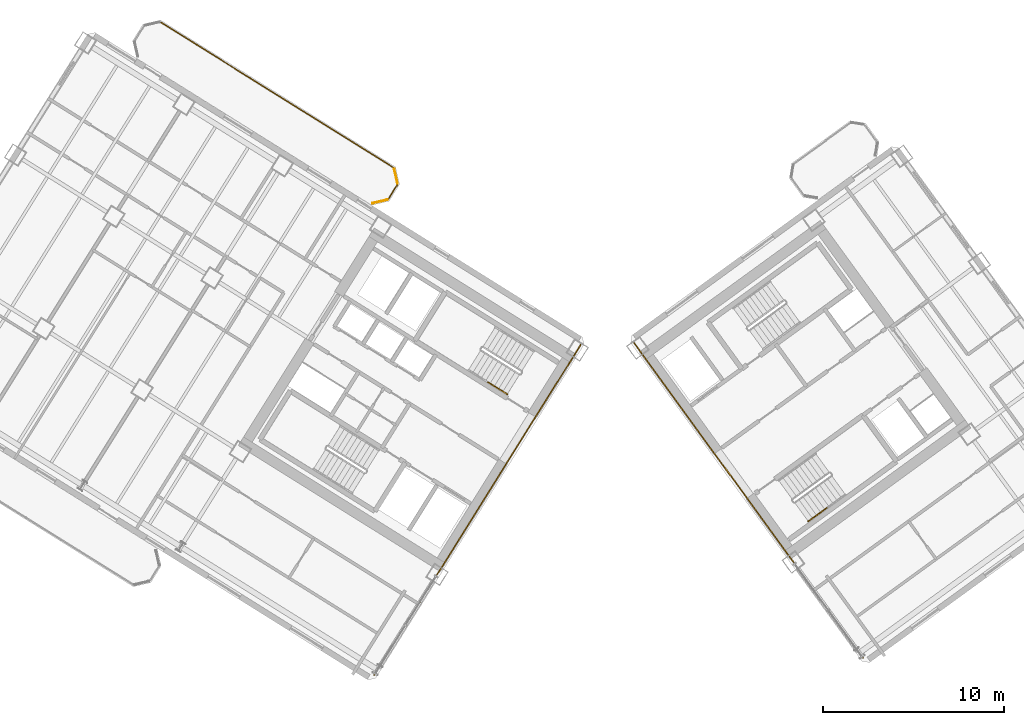
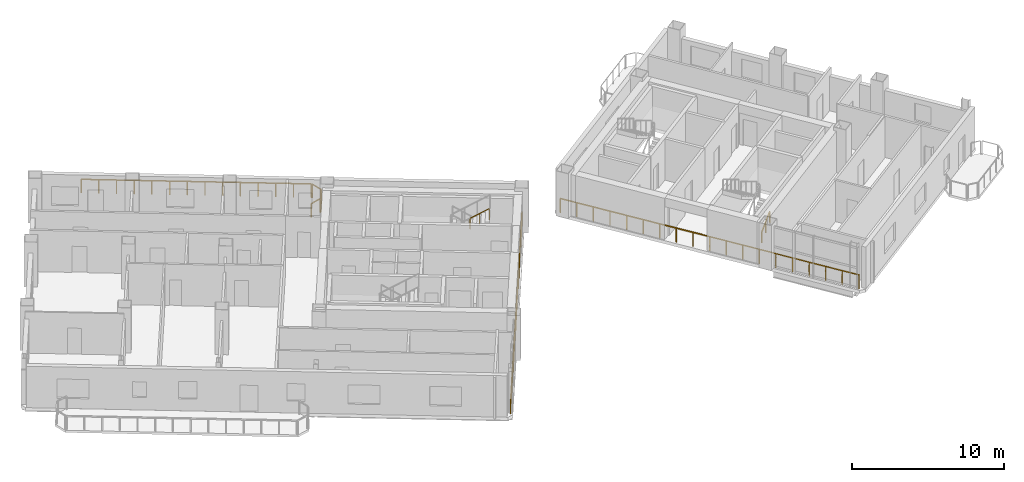
# One storey, part 16 of 18: 8 railings.
"""IFC4 building model written with IfcOpenShell, lengths in metres."""

import ifcopenshell
import ifcopenshell.guid

model = None  # the IFC model being written
_history = None  # IfcOwnerHistory: only IFC2X3 demands one
_inside = {}  # id of a spatial element -> (the spatial element, [elements in it])
_under = {}  # id of a project, library or spatial element -> (it, [spatial elements below it])
_declared = {}  # id of a project -> (the project, [libraries it declares])
_typed = {}  # id of a type object -> (the type object, [elements of that type])
_made_of = {}  # id of a material, layer set ... -> (it, [elements and type objects made of it])


def new_model(schema):
    """Start an empty IFC model of exactly this schema.

    Asked for "IFC4X3", IfcOpenShell would pick the latest addendum, in which some entities
    have other attributes; the version numbers below select the first issue.
    IFC2X3 requires an IfcOwnerHistory on every rooted entity: one is made here for all.
    """
    global model, _history
    if schema == "IFC4X3":
        model = ifcopenshell.file(schema_version=(4, 3, 0, 0))
    else:
        model = ifcopenshell.file(schema=schema)
    _inside.clear()
    _under.clear()
    _declared.clear()
    _typed.clear()
    _made_of.clear()
    _history = None
    if model.schema == "IFC2X3":
        org = make("IfcOrganization", Name="unknown")
        user = make(
            "IfcPersonAndOrganization",
            ThePerson=make("IfcPerson", FamilyName="unknown"),
            TheOrganization=org,
        )
        app = make(
            "IfcApplication",
            ApplicationDeveloper=org,
            Version="unknown",
            ApplicationFullName="unknown",
            ApplicationIdentifier="unknown",
        )
        _history = make(
            "IfcOwnerHistory",
            OwningUser=user,
            OwningApplication=app,
            ChangeAction="ADDED",
            CreationDate=0,
        )
    return model


def make(cls, **values):
    """One entity of the class cls with the attributes given. An attribute that is None is left unset."""
    return model.create_entity(
        cls, **{name: value for name, value in values.items() if value is not None}
    )


def rooted(cls, **values):
    """An entity with a GlobalId (a new one), such as an element, a storey or a relation."""
    return make(cls, GlobalId=ifcopenshell.guid.new(), OwnerHistory=_history, **values)


def si_unit(unit_type, name, prefix=None):
    """IfcSIUnit, for example si_unit("LENGTHUNIT", "METRE", prefix="MILLI")."""
    return make("IfcSIUnit", UnitType=unit_type, Prefix=prefix, Name=name)


def assignment(units):
    """IfcUnitAssignment: the units of a project."""
    return None if units is None else make("IfcUnitAssignment", Units=units)


def point(xyz):
    """IfcCartesianPoint."""
    return None if xyz is None else make("IfcCartesianPoint", Coordinates=xyz)


def direction(xyz):
    """IfcDirection."""
    return None if xyz is None else make("IfcDirection", DirectionRatios=xyz)


def frame(location, z_axis=None, x_axis=None):
    """IfcAxis2Placement3D, a coordinate frame: its origin and axes. An axis left out is left unset."""
    return make(
        "IfcAxis2Placement3D",
        Location=point(location),
        Axis=direction(z_axis),
        RefDirection=direction(x_axis),
    )


def frame_2d(location, x_axis=None):
    """IfcAxis2Placement2D, a coordinate frame in the plane: its origin and x axis."""
    return make(
        "IfcAxis2Placement2D", Location=point(location), RefDirection=direction(x_axis)
    )


def origin():
    """The frame at (0, 0, 0) with its axes left unset."""
    return frame((0.0, 0.0, 0.0))


def origin_2d():
    """The frame at (0, 0) in the plane with its x axis left unset."""
    return frame_2d((0.0, 0.0))


def place(relative_to, where):
    """IfcLocalPlacement: puts the frame where relative to a parent placement (None: the world)."""
    return make(
        "IfcLocalPlacement", PlacementRelTo=relative_to, RelativePlacement=where
    )


def context(
    kind, dimensions, precision=None, world=None, true_north=None, identifier=None
):
    """IfcGeometricRepresentationContext, for example the 3D "Model" context."""
    return make(
        "IfcGeometricRepresentationContext",
        ContextIdentifier=identifier,
        ContextType=kind,
        CoordinateSpaceDimension=dimensions,
        Precision=precision,
        WorldCoordinateSystem=world,
        TrueNorth=true_north,
    )


def subcontext(parent, identifier, kind, view, scale=None):
    """IfcGeometricRepresentationSubContext, for example "Body" below "Model"."""
    return make(
        "IfcGeometricRepresentationSubContext",
        ContextIdentifier=identifier,
        ContextType=kind,
        ParentContext=parent,
        TargetScale=scale,
        TargetView=view,
    )


def project(units=None, contexts=None):
    """IfcProject with its units and contexts."""
    return rooted(
        "IfcProject",
        Name="project",
        RepresentationContexts=contexts,
        UnitsInContext=assignment(units),
    )


def spatial(cls, under=None, at=None, **own):
    """A site, building, storey or space (cls), placed at a placement, below another one or the project."""
    s = rooted(cls, ObjectPlacement=at, **own)
    if under is not None:
        _under.setdefault(under.id(), (under, []))[1].append(s)
    return s


def profile(cls, at=None, kind="AREA", **sizes):
    """A parametric profile (cls). Its sizes go by their IFC names, for example OverallWidth=200.0."""
    return make(cls, ProfileType=kind, Position=at, **sizes)


def rectangle(**sizes):
    """IfcRectangleProfileDef."""
    return profile("IfcRectangleProfileDef", **sizes)


def extrude(swept, where, along, depth):
    """IfcExtrudedAreaSolid: the profile swept, set in the frame where, extruded along a direction by depth."""
    return make(
        "IfcExtrudedAreaSolid",
        SweptArea=swept,
        Position=where,
        ExtrudedDirection=direction(along),
        Depth=depth,
    )


def shape(context_of_items, identifier, shape_type, items):
    """IfcShapeRepresentation: the items that make up one representation, for example the "Body"."""
    return make(
        "IfcShapeRepresentation",
        ContextOfItems=context_of_items,
        RepresentationIdentifier=identifier,
        RepresentationType=shape_type,
        Items=items,
    )


def source(mapping_origin, context_of_items, identifier, shape_type, items):
    """IfcRepresentationMap: a shape defined once, which mapped items show again and again."""
    return make(
        "IfcRepresentationMap",
        MappingOrigin=mapping_origin,
        MappedRepresentation=shape(context_of_items, identifier, shape_type, items),
    )


def transform(
    local_origin,
    x_axis=None,
    y_axis=None,
    z_axis=None,
    scale=None,
    scale2=None,
    scale3=None,
    uniform=True,
):
    """IfcCartesianTransformationOperator3D, or its non-uniform kind. x_axis, y_axis, z_axis: its Axis1, 2, 3."""
    if uniform:
        return make(
            "IfcCartesianTransformationOperator3D",
            Axis1=direction(x_axis),
            Axis2=direction(y_axis),
            LocalOrigin=point(local_origin),
            Scale=scale,
            Axis3=direction(z_axis),
        )
    return make(
        "IfcCartesianTransformationOperator3DnonUniform",
        Axis1=direction(x_axis),
        Axis2=direction(y_axis),
        LocalOrigin=point(local_origin),
        Scale=scale,
        Axis3=direction(z_axis),
        Scale2=scale2,
        Scale3=scale3,
    )


def mapped(mapping_source, mapping_target):
    """IfcMappedItem: shows the shape of a source again, moved by a transform."""
    return make(
        "IfcMappedItem", MappingSource=mapping_source, MappingTarget=mapping_target
    )


def material(Name=None, Category=None):
    """IfcMaterial."""
    return make("IfcMaterial", Name=Name, Category=Category)


def made_of(thing, what):
    """Note that an element or type object is made of a material, layer set ...; save() writes the relation."""
    if what is not None:
        _made_of.setdefault(what.id(), (what, []))[1].append(thing)
    return thing


def type_object(cls, material=None, **own):
    """A type object (cls), such as IfcWallType, which elements share."""
    return made_of(rooted(cls, **own), material)


def element(
    cls,
    number,
    at=None,
    inside=None,
    cuts=None,
    type_object=None,
    material=None,
    context=None,
    identifier="Body",
    shape_type=None,
    held_by="IfcProductDefinitionShape",
    body=None,
    shapes=None,
    **own,
):
    """One element of the class cls, such as IfcWall. Its Tag is "e" and its number.

    at: its placement. inside: the storey or other place that contains it. cuts: it is an
    opening in that element (IfcRelVoidsElement). A single representation is given by context,
    identifier, shape_type and body (its items); several are given by shapes. held_by: the class
    of the entity that holds the representations. save() writes the other relations.
    """
    e = rooted(cls, Tag="e%d" % number, ObjectPlacement=at, **own)
    if body is not None:
        shapes = [shape(context, identifier, shape_type, body)]
    if shapes is not None:
        e.Representation = make(held_by, Representations=shapes)
    if inside is not None:
        _inside.setdefault(inside.id(), (inside, []))[1].append(e)
    if cuts is not None:
        rooted(
            "IfcRelVoidsElement", RelatingBuildingElement=cuts, RelatedOpeningElement=e
        )
    if type_object is not None:
        _typed.setdefault(type_object.id(), (type_object, []))[1].append(e)
    return made_of(e, material)


def aggregate(whole, parts):
    """IfcRelAggregates: a whole, such as a stair, and the parts it consists of."""
    return rooted("IfcRelAggregates", RelatingObject=whole, RelatedObjects=parts)


def save(model, path):
    """Write the relations noted so far, then the file.

    IfcRelAggregates (storeys below a building ...), IfcRelContainedInSpatialStructure (elements
    in a storey), IfcRelDefinesByType, IfcRelAssociatesMaterial and IfcRelDeclares: one each for
    every whole, place, type object, material and project.
    """
    for whole, parts in _under.values():
        aggregate(whole, parts)
    for where, things in _inside.values():
        rooted(
            "IfcRelContainedInSpatialStructure",
            RelatedElements=things,
            RelatingStructure=where,
        )
    for kind, things in _typed.values():
        rooted("IfcRelDefinesByType", RelatedObjects=things, RelatingType=kind)
    for what, things in _made_of.values():
        rooted("IfcRelAssociatesMaterial", RelatedObjects=things, RelatingMaterial=what)
    for by, libraries in _declared.values():
        rooted("IfcRelDeclares", RelatingContext=by, RelatedDefinitions=libraries)
    model.write(path)


model = new_model("IFC4")

# Units and contexts
model_context = context("Model", 3, precision=1e-05, world=origin(), true_north=direction((0.0, 1.0)))
body_context = subcontext(model_context, "Body", "Model", "MODEL_VIEW")
ifc_project = project(units=[si_unit("LENGTHUNIT", "METRE"), si_unit("AREAUNIT", "SQUARE_METRE"), si_unit("VOLUMEUNIT", "CUBIC_METRE"), si_unit("PLANEANGLEUNIT", "RADIAN"), si_unit("MASSUNIT", "GRAM", prefix="KILO")], contexts=[model_context])

# Site, building, storey
site_placement = place(None, origin())
site = spatial("IfcSite", under=ifc_project, at=site_placement, CompositionType="ELEMENT")
building_placement = place(site_placement, origin())
building = spatial("IfcBuilding", under=site, at=building_placement, Name="Tlacorven Tower", CompositionType="ELEMENT")
storey_placement = place(building_placement, frame((0.0, 0.0, 132.60009765625)))
storey = spatial("IfcBuildingStorey", under=building, at=storey_placement, Name="L33", CompositionType="ELEMENT", Elevation=132.60009765625)

# Railings
ifc_material = material(Name="Aluminium and painted steel balustrade", Category="steel")
railing_type_1 = type_object("IfcRailingType", Name="RL-BAL-1100", PredefinedType="BALUSTRADE", material=ifc_material)
shared_shape_1 = source(origin(), body_context, "Body", "SweptSolid", [
    extrude(rectangle(XDim=0.048095703125, YDim=0.048095703125, at=origin_2d()), frame((0.0, 0.0, 1.076171875), z_axis=(0.225058334816, -0.974345290916, 0.0), x_axis=(0.974345290916, 0.225058334816, 0.0)), (0.0, 0.0, 1.0), 0.80712890625),
    extrude(rectangle(XDim=0.0419921875, YDim=0.0419921875, at=origin_2d()), origin(), (0.0, 0.0, 1.0), 1.052001953125),
    extrude(rectangle(XDim=0.0419921875, YDim=0.0419921875, at=origin_2d()), frame((0.181640625, -0.786376953125, 0.0)), (0.0, 0.0, 1.0), 1.052001953125),
])
railing_1_placement = place(storey_placement, frame((30.6796875, 34.466064453125, 0.0)))
element("IfcRailing", 1, at=railing_1_placement, inside=storey, type_object=railing_type_1, Name="BAL-L33-W-IN Guard Railing 1", PredefinedType="BALUSTRADE", context=body_context, shape_type="MappedRepresentation", body=[
    mapped(shared_shape_1, transform((0.0, 0.0, 0.0), scale=1.0)),
])
shared_shape_2 = source(origin(), body_context, "Body", "SweptSolid", [
    extrude(rectangle(XDim=0.048095703125, YDim=0.048095703125, at=origin_2d()), frame((0.0, 0.0, 1.076171875), z_axis=(-0.52987865805, -0.848073468364, 0.0), x_axis=(0.848073468364, -0.52987865805, 0.0)), (0.0, 0.0, 1.0), 0.912353515625),
    extrude(rectangle(XDim=0.0419921875, YDim=0.0419921875, at=origin_2d()), origin(), (0.0, 0.0, 1.0), 1.052001953125),
    extrude(rectangle(XDim=0.0419921875, YDim=0.0419921875, at=origin_2d()), frame((-0.4833984375, -0.773681640625, 0.0)), (0.0, 0.0, 1.0), 1.052001953125),
])
railing_2_placement = place(storey_placement, frame((30.845947265625, 33.588623046875, 0.0)))
element("IfcRailing", 2, at=railing_2_placement, inside=storey, type_object=railing_type_1, Name="BAL-L33-W-IN Guard Railing 2", PredefinedType="BALUSTRADE", context=body_context, shape_type="MappedRepresentation", body=[
    mapped(shared_shape_2, transform((0.0, 0.0, 0.0), scale=1.0)),
])
shared_shape_3 = source(origin(), body_context, "Body", "SweptSolid", [
    extrude(rectangle(XDim=0.048095703125, YDim=0.048095703125, at=origin_2d()), frame((0.0, 0.0, 1.076171875), z_axis=(-0.974345290916, -0.225058334816, 0.0), x_axis=(0.225058334816, -0.974345290916, 0.0)), (0.0, 0.0, 1.0), 0.80712890625),
    extrude(rectangle(XDim=0.0419921875, YDim=0.0419921875, at=origin_2d()), origin(), (0.0, 0.0, 1.0), 1.052001953125),
    extrude(rectangle(XDim=0.0419921875, YDim=0.0419921875, at=origin_2d()), frame((-0.786376953125, -0.181640625, 0.0)), (0.0, 0.0, 1.0), 1.052001953125),
])
railing_3_placement = place(storey_placement, frame((30.287353515625, 32.761474609375, 0.0)))
element("IfcRailing", 3, at=railing_3_placement, inside=storey, type_object=railing_type_1, Name="BAL-L33-W-IN Guard Railing 3", PredefinedType="BALUSTRADE", context=body_context, shape_type="MappedRepresentation", body=[
    mapped(shared_shape_3, transform((0.0, 0.0, 0.0), scale=1.0)),
])
shared_shape_4 = source(origin(), body_context, "Body", "SweptSolid", [
    extrude(rectangle(XDim=0.048095703125, YDim=0.048095703125, at=origin_2d()), frame((0.0, 0.0, 1.076171875), z_axis=(0.848044572804, -0.529924902733, 0.0), x_axis=(0.529924902733, 0.848044572804, 0.0)), (0.0, 0.0, 1.0), 15.1171875),
    extrude(rectangle(XDim=0.0419921875, YDim=0.0419921875, at=origin_2d()), origin(), (0.0, 0.0, 1.0), 1.052001953125),
    extrude(rectangle(XDim=0.0419921875, YDim=0.0419921875, at=origin_2d()), frame((0.986083984375, -0.6162109375, 0.0)), (0.0, 0.0, 1.0), 1.052001953125),
    extrude(rectangle(XDim=0.0419921875, YDim=0.0419921875, at=origin_2d()), frame((1.972412109375, -1.232421875, 0.0)), (0.0, 0.0, 1.0), 1.052001953125),
    extrude(rectangle(XDim=0.0419921875, YDim=0.0419921875, at=origin_2d()), frame((2.95849609375, -1.8486328125, 0.0)), (0.0, 0.0, 1.0), 1.052001953125),
    extrude(rectangle(XDim=0.0419921875, YDim=0.0419921875, at=origin_2d()), frame((3.944580078125, -2.46484375, 0.0)), (0.0, 0.0, 1.0), 1.052001953125),
    extrude(rectangle(XDim=0.0419921875, YDim=0.0419921875, at=origin_2d()), frame((4.930908203125, -3.0810546875, 0.0)), (0.0, 0.0, 1.0), 1.052001953125),
    extrude(rectangle(XDim=0.0419921875, YDim=0.0419921875, at=origin_2d()), frame((5.9169921875, -3.697265625, 0.0)), (0.0, 0.0, 1.0), 1.052001953125),
    extrude(rectangle(XDim=0.0419921875, YDim=0.0419921875, at=origin_2d()), frame((6.903076171875, -4.313720703125, 0.0)), (0.0, 0.0, 1.0), 1.052001953125),
    extrude(rectangle(XDim=0.0419921875, YDim=0.0419921875, at=origin_2d()), frame((7.88916015625, -4.929931640625, 0.0)), (0.0, 0.0, 1.0), 1.052001953125),
    extrude(rectangle(XDim=0.0419921875, YDim=0.0419921875, at=origin_2d()), frame((8.87548828125, -5.546142578125, 0.0)), (0.0, 0.0, 1.0), 1.052001953125),
    extrude(rectangle(XDim=0.0419921875, YDim=0.0419921875, at=origin_2d()), frame((9.861572265625, -6.162353515625, 0.0)), (0.0, 0.0, 1.0), 1.052001953125),
    extrude(rectangle(XDim=0.0419921875, YDim=0.0419921875, at=origin_2d()), frame((10.84765625, -6.778564453125, 0.0)), (0.0, 0.0, 1.0), 1.052001953125),
    extrude(rectangle(XDim=0.0419921875, YDim=0.0419921875, at=origin_2d()), frame((11.833984375, -7.394775390625, 0.0)), (0.0, 0.0, 1.0), 1.052001953125),
    extrude(rectangle(XDim=0.0419921875, YDim=0.0419921875, at=origin_2d()), frame((12.820068359375, -8.010986328125, 0.0)), (0.0, 0.0, 1.0), 1.052001953125),
])
railing_4_placement = place(storey_placement, frame((17.805908203125, 42.55224609375, 0.0)))
element("IfcRailing", 4, at=railing_4_placement, inside=storey, type_object=railing_type_1, Name="BAL-L33-W-IN Guard Railing 7", PredefinedType="BALUSTRADE", context=body_context, shape_type="MappedRepresentation", body=[
    mapped(shared_shape_4, transform((0.0, 0.0, 0.0), scale=1.0)),
])
railing_type_2 = type_object("IfcRailingType", Name="RL-GRD-1150", PredefinedType="GUARDRAIL", material=ifc_material)
shared_shape_5 = source(origin(), body_context, "Body", "SweptSolid", [
    extrude(rectangle(XDim=0.048095703125, YDim=0.048095703125, at=origin_2d()), frame((0.0, 0.0, 1.1259765625), z_axis=(-0.529922340282, -0.84804617402, 0.0), x_axis=(0.84804617402, -0.529922340282, 0.0)), (0.0, 0.0, 1.0), 21.487548828125),
    extrude(rectangle(XDim=0.0419921875, YDim=0.0419921875, at=origin_2d()), origin(), (0.0, 0.0, 1.0), 1.101806640625),
    extrude(rectangle(XDim=0.0419921875, YDim=0.0419921875, at=origin_2d()), frame((-0.632568359375, -1.012451171875, 0.0)), (0.0, 0.0, 1.0), 1.101806640625),
    extrude(rectangle(XDim=0.0419921875, YDim=0.0419921875, at=origin_2d()), frame((-1.26513671875, -2.024658203125, 0.0)), (0.0, 0.0, 1.0), 1.101806640625),
    extrude(rectangle(XDim=0.0419921875, YDim=0.0419921875, at=origin_2d()), frame((-1.897705078125, -3.037109375, 0.0)), (0.0, 0.0, 1.0), 1.101806640625),
    extrude(rectangle(XDim=0.0419921875, YDim=0.0419921875, at=origin_2d()), frame((-2.5302734375, -4.04931640625, 0.0)), (0.0, 0.0, 1.0), 1.101806640625),
    extrude(rectangle(XDim=0.0419921875, YDim=0.0419921875, at=origin_2d()), frame((-3.1630859375, -5.061767578125, 0.0)), (0.0, 0.0, 1.0), 1.101806640625),
    extrude(rectangle(XDim=0.0419921875, YDim=0.0419921875, at=origin_2d()), frame((-3.795654296875, -6.07421875, 0.0)), (0.0, 0.0, 1.0), 1.101806640625),
    extrude(rectangle(XDim=0.0419921875, YDim=0.0419921875, at=origin_2d()), frame((-4.42822265625, -7.08642578125, 0.0)), (0.0, 0.0, 1.0), 1.101806640625),
    extrude(rectangle(XDim=0.0419921875, YDim=0.0419921875, at=origin_2d()), frame((-5.060791015625, -8.098876953125, 0.0)), (0.0, 0.0, 1.0), 1.101806640625),
    extrude(rectangle(XDim=0.0419921875, YDim=0.0419921875, at=origin_2d()), frame((-5.693359375, -9.111328125, 0.0)), (0.0, 0.0, 1.0), 1.101806640625),
    extrude(rectangle(XDim=0.0419921875, YDim=0.0419921875, at=origin_2d()), frame((-6.325927734375, -10.12353515625, 0.0)), (0.0, 0.0, 1.0), 1.101806640625),
    extrude(rectangle(XDim=0.0419921875, YDim=0.0419921875, at=origin_2d()), frame((-6.95849609375, -11.135986328125, 0.0)), (0.0, 0.0, 1.0), 1.101806640625),
    extrude(rectangle(XDim=0.0419921875, YDim=0.0419921875, at=origin_2d()), frame((-7.591064453125, -12.148193359375, 0.0)), (0.0, 0.0, 1.0), 1.101806640625),
    extrude(rectangle(XDim=0.0419921875, YDim=0.0419921875, at=origin_2d()), frame((-8.2236328125, -13.16064453125, 0.0)), (0.0, 0.0, 1.0), 1.101806640625),
    extrude(rectangle(XDim=0.0419921875, YDim=0.0419921875, at=origin_2d()), frame((-8.8564453125, -14.173095703125, 0.0)), (0.0, 0.0, 1.0), 1.101806640625),
    extrude(rectangle(XDim=0.0419921875, YDim=0.0419921875, at=origin_2d()), frame((-9.489013671875, -15.185302734375, 0.0)), (0.0, 0.0, 1.0), 1.101806640625),
    extrude(rectangle(XDim=0.0419921875, YDim=0.0419921875, at=origin_2d()), frame((-10.12158203125, -16.19775390625, 0.0)), (0.0, 0.0, 1.0), 1.101806640625),
    extrude(rectangle(XDim=0.0419921875, YDim=0.0419921875, at=origin_2d()), frame((-10.754150390625, -17.2099609375, 0.0)), (0.0, 0.0, 1.0), 1.101806640625),
    extrude(rectangle(XDim=0.0419921875, YDim=0.0419921875, at=origin_2d()), frame((-11.38671875, -18.222412109375, 0.0)), (0.0, 0.0, 1.0), 1.101806640625),
])
railing_5_placement = place(storey_placement, frame((40.965087890625, 24.760009765625, 0.0)))
element("IfcRailing", 5, at=railing_5_placement, inside=storey, type_object=railing_type_2, Name="L33 Void-Portal Atrium Guard 1", PredefinedType="GUARDRAIL", context=body_context, shape_type="MappedRepresentation", body=[
    mapped(shared_shape_5, transform((0.0, 0.0, 0.0), scale=1.0)),
])
shared_shape_6 = source(origin(), body_context, "Body", "SweptSolid", [
    extrude(rectangle(XDim=0.048095703125, YDim=0.048095703125, at=origin_2d()), frame((0.0, 0.0, 1.1259765625), z_axis=(-0.587792632144, 0.809011632547, 0.0), x_axis=(-0.809011632547, -0.587792632144, 0.0)), (0.0, 0.0, 1.0), 21.4873046875),
    extrude(rectangle(XDim=0.0419921875, YDim=0.0419921875, at=origin_2d()), origin(), (0.0, 0.0, 1.0), 1.101806640625),
    extrude(rectangle(XDim=0.0419921875, YDim=0.0419921875, at=origin_2d()), frame((-0.70166015625, 0.9658203125, 0.0)), (0.0, 0.0, 1.0), 1.101806640625),
    extrude(rectangle(XDim=0.0419921875, YDim=0.0419921875, at=origin_2d()), frame((-1.4033203125, 1.931396484375, 0.0)), (0.0, 0.0, 1.0), 1.101806640625),
    extrude(rectangle(XDim=0.0419921875, YDim=0.0419921875, at=origin_2d()), frame((-2.10498046875, 2.897216796875, 0.0)), (0.0, 0.0, 1.0), 1.101806640625),
    extrude(rectangle(XDim=0.0419921875, YDim=0.0419921875, at=origin_2d()), frame((-2.806640625, 3.863037109375, 0.0)), (0.0, 0.0, 1.0), 1.101806640625),
    extrude(rectangle(XDim=0.0419921875, YDim=0.0419921875, at=origin_2d()), frame((-3.50830078125, 4.828857421875, 0.0)), (0.0, 0.0, 1.0), 1.101806640625),
    extrude(rectangle(XDim=0.0419921875, YDim=0.0419921875, at=origin_2d()), frame((-4.2099609375, 5.79443359375, 0.0)), (0.0, 0.0, 1.0), 1.101806640625),
    extrude(rectangle(XDim=0.0419921875, YDim=0.0419921875, at=origin_2d()), frame((-4.91162109375, 6.76025390625, 0.0)), (0.0, 0.0, 1.0), 1.101806640625),
    extrude(rectangle(XDim=0.0419921875, YDim=0.0419921875, at=origin_2d()), frame((-5.61328125, 7.72607421875, 0.0)), (0.0, 0.0, 1.0), 1.101806640625),
    extrude(rectangle(XDim=0.0419921875, YDim=0.0419921875, at=origin_2d()), frame((-6.31494140625, 8.69189453125, 0.0)), (0.0, 0.0, 1.0), 1.101806640625),
    extrude(rectangle(XDim=0.0419921875, YDim=0.0419921875, at=origin_2d()), frame((-7.016845703125, 9.657470703125, 0.0)), (0.0, 0.0, 1.0), 1.101806640625),
    extrude(rectangle(XDim=0.0419921875, YDim=0.0419921875, at=origin_2d()), frame((-7.718505859375, 10.623291015625, 0.0)), (0.0, 0.0, 1.0), 1.101806640625),
    extrude(rectangle(XDim=0.0419921875, YDim=0.0419921875, at=origin_2d()), frame((-8.420166015625, 11.589111328125, 0.0)), (0.0, 0.0, 1.0), 1.101806640625),
    extrude(rectangle(XDim=0.0419921875, YDim=0.0419921875, at=origin_2d()), frame((-9.121826171875, 12.5546875, 0.0)), (0.0, 0.0, 1.0), 1.101806640625),
    extrude(rectangle(XDim=0.0419921875, YDim=0.0419921875, at=origin_2d()), frame((-9.823486328125, 13.5205078125, 0.0)), (0.0, 0.0, 1.0), 1.101806640625),
    extrude(rectangle(XDim=0.0419921875, YDim=0.0419921875, at=origin_2d()), frame((-10.525146484375, 14.486328125, 0.0)), (0.0, 0.0, 1.0), 1.101806640625),
    extrude(rectangle(XDim=0.0419921875, YDim=0.0419921875, at=origin_2d()), frame((-11.226806640625, 15.4521484375, 0.0)), (0.0, 0.0, 1.0), 1.101806640625),
    extrude(rectangle(XDim=0.0419921875, YDim=0.0419921875, at=origin_2d()), frame((-11.928466796875, 16.417724609375, 0.0)), (0.0, 0.0, 1.0), 1.101806640625),
    extrude(rectangle(XDim=0.0419921875, YDim=0.0419921875, at=origin_2d()), frame((-12.630126953125, 17.383544921875, 0.0)), (0.0, 0.0, 1.0), 1.101806640625),
])
railing_6_placement = place(storey_placement, frame((56.5517578125, 7.4794921875, 0.0)))
element("IfcRailing", 6, at=railing_6_placement, inside=storey, type_object=railing_type_2, Name="L33 Void-Portal Atrium Guard 1", PredefinedType="GUARDRAIL", context=body_context, shape_type="MappedRepresentation", body=[
    mapped(shared_shape_6, transform((0.0, 0.0, 0.0), scale=1.0)),
])
railing_type_3 = type_object("IfcRailingType", Name="RL-HND-0900", PredefinedType="HANDRAIL", material=ifc_material)
shared_shape_7 = source(origin(), body_context, "Body", "SweptSolid", [
    extrude(rectangle(XDim=0.048095703125, YDim=0.048095703125, at=origin_2d()), frame((0.0, 0.0, 0.8759765625), z_axis=(0.713359751793, -0.4457479829, 0.540764828981), x_axis=(0.529911857636, 0.848052724267, 0.0)), (0.0, 0.0, 1.0), 1.498046875),
    extrude(rectangle(XDim=0.0419921875, YDim=0.0419921875, at=origin_2d()), origin(), (0.0, 0.0, 1.0), 0.851806640625),
    extrude(rectangle(XDim=0.0419921875, YDim=0.0419921875, at=origin_2d()), frame((0.5341796875, -0.333984375, 0.405029296875)), (0.0, 0.0, 1.0), 0.851806640625),
    extrude(rectangle(XDim=0.0419921875, YDim=0.0419921875, at=origin_2d()), frame((1.068603515625, -0.667724609375, 0.81005859375)), (0.0, 0.0, 1.0), 0.851806640625),
])
railing_7_placement = place(storey_placement, frame((35.848876953125, 22.705078125, 2.789794921875)))
element("IfcRailing", 7, at=railing_7_placement, inside=storey, type_object=railing_type_3, Name="L33 ST-W2 stair handrail 4", PredefinedType="HANDRAIL", context=body_context, shape_type="MappedRepresentation", body=[
    mapped(shared_shape_7, transform((0.0, 0.0, 0.0), scale=1.0)),
])
shared_shape_8 = source(origin(), body_context, "Body", "SweptSolid", [
    extrude(rectangle(XDim=0.048095703125, YDim=0.048095703125, at=origin_2d()), frame((0.0, 0.0, 0.8759765625), z_axis=(0.680461216233, 0.494495647917, 0.540783309093), x_axis=(-0.587872112667, 0.808953879494, 0.0)), (0.0, 0.0, 1.0), 1.498046875),
    extrude(rectangle(XDim=0.0419921875, YDim=0.0419921875, at=origin_2d()), origin(), (0.0, 0.0, 1.0), 0.851806640625),
    extrude(rectangle(XDim=0.0419921875, YDim=0.0419921875, at=origin_2d()), frame((0.509765625, 0.370361328125, 0.405029296875)), (0.0, 0.0, 1.0), 0.851806640625),
    extrude(rectangle(XDim=0.0419921875, YDim=0.0419921875, at=origin_2d()), frame((1.019287109375, 0.74072265625, 0.81005859375)), (0.0, 0.0, 1.0), 0.851806640625),
])
railing_8_placement = place(storey_placement, frame((53.53369140625, 15.01904296875, 0.179931640625)))
element("IfcRailing", 8, at=railing_8_placement, inside=storey, type_object=railing_type_3, Name="L33 ST-E2 stair handrail 1", PredefinedType="HANDRAIL", context=body_context, shape_type="MappedRepresentation", body=[
    mapped(shared_shape_8, transform((0.0, 0.0, 0.0), scale=1.0)),
])

save(model, "model.ifc")
